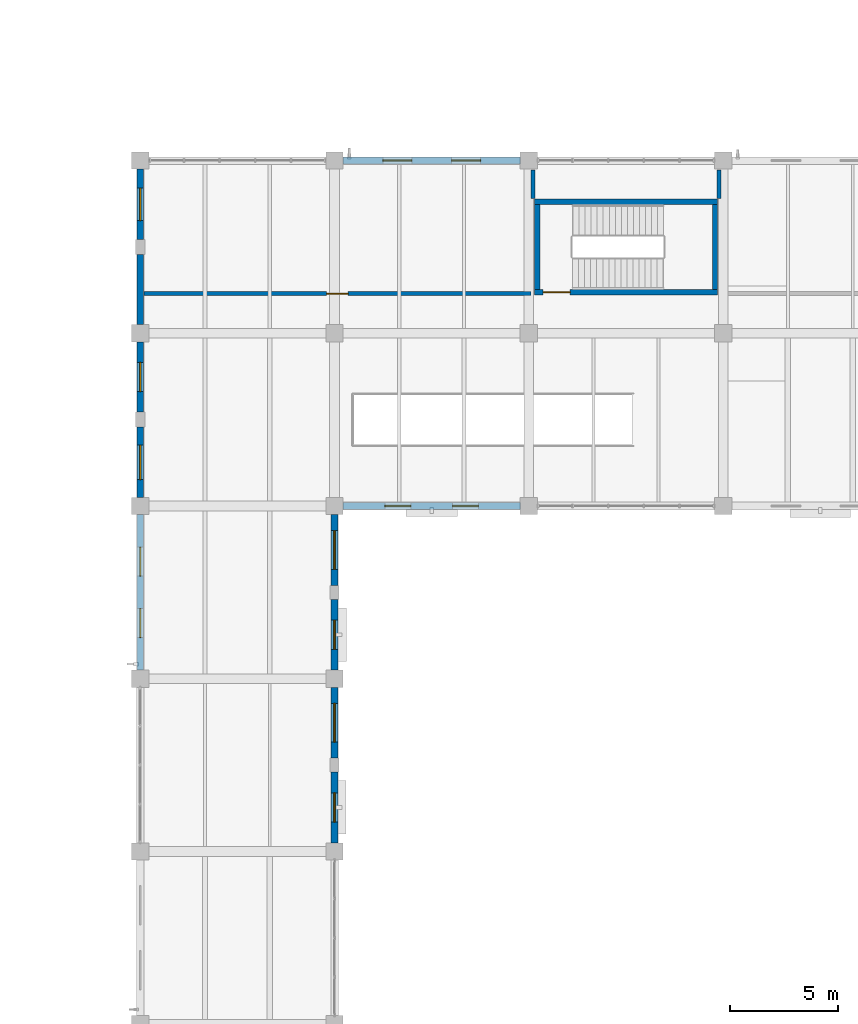
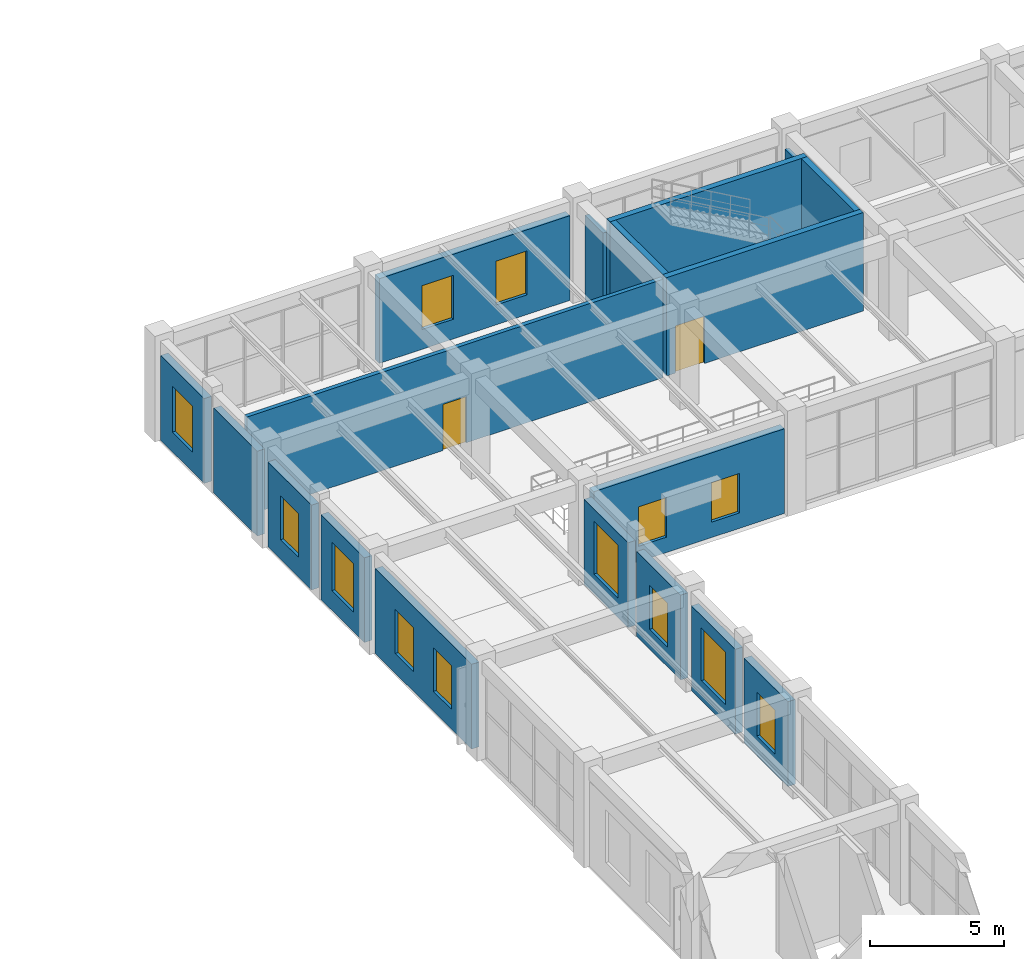
# One storey, part 156 of 178: 18 walls, 13 windows, 2 doors, 15 openings.
"""IFC4 building model written with IfcOpenShell, lengths in metres."""

from ifc_helpers import new_model, si_unit, derived_unit, direction, frame, frame_2d, origin, place, context, subcontext, project, spatial, rectangle, extrude, material, layer, layer_set, type_object, element, fill, save


model = new_model("IFC4")

# Units and contexts
model_context = context("Model", 3, precision=1e-05, world=origin(), true_north=direction((0.0, 1.0)))
body_context = subcontext(model_context, "Body", "Model", "MODEL_VIEW")
ifc_project = project(units=[si_unit("LENGTHUNIT", "METRE"), si_unit("AREAUNIT", "SQUARE_METRE"), si_unit("VOLUMEUNIT", "CUBIC_METRE"), si_unit("PLANEANGLEUNIT", "RADIAN"), si_unit("MASSUNIT", "GRAM", prefix="KILO"), derived_unit("THERMALTRANSMITTANCEUNIT", [(si_unit("MASSUNIT", "GRAM", prefix="KILO"), 1), (si_unit("TIMEUNIT", "SECOND"), -3), (si_unit("THERMODYNAMICTEMPERATUREUNIT", "KELVIN"), -1)])], contexts=[model_context])

# Site, building, storey
site_placement = place(None, origin())
site = spatial("IfcSite", under=ifc_project, at=site_placement, CompositionType="ELEMENT")
building_placement = place(site_placement, origin())
building = spatial("IfcBuilding", under=site, at=building_placement, Name="Zhenchuan Archway Interchange", CompositionType="ELEMENT")
storey_placement = place(building_placement, frame((0.0, 0.0, 5.39990234375)))
storey = spatial("IfcBuildingStorey", under=building, at=storey_placement, Name="L01", CompositionType="ELEMENT", Elevation=5.39990234375)

# Wall, openings, windows
ifc_material_1 = material(Name="Granite Stone Cladding", Category="masonry")
ifc_layer_1 = layer(ifc_material_1, 0.320068359375)
ifc_layer_set_1 = layer_set([ifc_layer_1], Name="Granite Stone Cladding")
wall_type_1 = type_object("IfcWallType", Name="EW_GRANITE_320", PredefinedType="STANDARD", material=ifc_layer_set_1)
wall_1_placement = place(storey_placement, frame((99.0, 80.39794921875, 0.0), z_axis=(0.0, 0.0, 1.0), x_axis=(0.0, 1.0, 0.0)))
wall_1 = element("IfcWall", 1, at=wall_1_placement, inside=storey, type_object=wall_type_1, Name="Exterior wall L01-041", PredefinedType="STANDARD", context=body_context, shape_type="SweptSolid", body=[
    extrude(rectangle(XDim=7.2041015625, YDim=0.320068359375, at=frame_2d((3.60205078125, 0.0))), origin(), (0.0, 0.0, 1.0), 3.860107421875),
])
opening_1_placement = place(wall_1_placement, frame((1.501220703125, 0.0, 0.89990234375)))
opening_1 = element("IfcOpeningElement", 2, at=opening_1_placement, cuts=wall_1, Name="Opening W-06", PredefinedType="OPENING", context=body_context, shape_type="SweptSolid", body=[
    extrude(rectangle(XDim=1.35009765625, YDim=2.0, at=frame_2d((0.675048828125, 1.0))), frame((0.0, 0.171875, 0.0), z_axis=(0.0, -1.0, 0.0), x_axis=(1.0, 0.0, 0.0)), (0.0, 0.0, 1.0), 0.343994140625),
])
opening_2_placement = place(wall_1_placement, frame((4.352783203125, 0.0, 0.89990234375)))
opening_2 = element("IfcOpeningElement", 3, at=opening_2_placement, cuts=wall_1, Name="Opening W-06", PredefinedType="OPENING", context=body_context, shape_type="SweptSolid", body=[
    extrude(rectangle(XDim=1.35009765625, YDim=2.0, at=frame_2d((0.675048828125, 1.0))), frame((0.0, 0.171875, 0.0), z_axis=(0.0, -1.0, 0.0), x_axis=(1.0, 0.0, 0.0)), (0.0, 0.0, 1.0), 0.343994140625),
])
ifc_material_2 = material(Name="Double Low-E Insulated Glazing", Category="glass")
window_type_1 = type_object("IfcWindowType", Name="WN_MOD_1350x2000", PartitioningType="SINGLE_PANEL", PredefinedType="WINDOW", material=ifc_material_2)
window_1_placement = place(opening_1_placement, origin())
window_1 = element("IfcWindow", 4, at=window_1_placement, inside=storey, type_object=window_type_1, Name="Window L01-0120", OverallHeight=2.0, OverallWidth=1.35009765625, PartitioningType="SINGLE_PANEL", PredefinedType="WINDOW", context=body_context, shape_type="SweptSolid", body=[
    extrude(rectangle(XDim=1.35009765625, YDim=2.0, at=frame_2d((0.675048828125, 1.0))), frame((0.0, 0.030029296875, 0.0), z_axis=(0.0, -1.0, 0.0), x_axis=(1.0, 0.0, 0.0)), (0.0, 0.0, 1.0), 0.06005859375),
])
fill(opening_1, window_1)
window_2_placement = place(opening_2_placement, origin())
window_2 = element("IfcWindow", 5, at=window_2_placement, inside=storey, type_object=window_type_1, Name="Window L01-0121", OverallHeight=2.0, OverallWidth=1.35009765625, PartitioningType="SINGLE_PANEL", PredefinedType="WINDOW", context=body_context, shape_type="SweptSolid", body=[
    extrude(rectangle(XDim=1.35009765625, YDim=2.0, at=frame_2d((0.675048828125, 1.0))), frame((0.0, 0.030029296875, 0.0), z_axis=(0.0, -1.0, 0.0), x_axis=(1.0, 0.0, 0.0)), (0.0, 0.0, 1.0), 0.06005859375),
])
fill(opening_2, window_2)

# Wall, opening, window
wall_2_placement = place(storey_placement, frame((99.0, 88.39794921875, 0.0), z_axis=(0.0, 0.0, 1.0), x_axis=(0.0, 1.0, 0.0)))
wall_2 = element("IfcWall", 6, at=wall_2_placement, inside=storey, type_object=wall_type_1, Name="Exterior wall L01-042", PredefinedType="STANDARD", context=body_context, shape_type="SweptSolid", body=[
    extrude(rectangle(XDim=3.254150390625, YDim=0.320068359375, at=frame_2d((1.626953125, 0.0))), origin(), (0.0, 0.0, 1.0), 3.860107421875),
])
opening_3_placement = place(wall_2_placement, frame((0.826904296875, 0.0, 0.89990234375)))
opening_3 = element("IfcOpeningElement", 7, at=opening_3_placement, cuts=wall_2, Name="Opening W-04", PredefinedType="OPENING", context=body_context, shape_type="SweptSolid", body=[
    extrude(rectangle(XDim=1.60009765625, YDim=2.199951171875, at=frame_2d((0.800048828125, 1.10009765625))), frame((0.0, 0.171875, 0.0), z_axis=(0.0, -1.0, 0.0), x_axis=(1.0, 0.0, 0.0)), (0.0, 0.0, 1.0), 0.343994140625),
])
window_type_2 = type_object("IfcWindowType", Name="WN_PUNCH_1600x2200", PartitioningType="SINGLE_PANEL", PredefinedType="WINDOW", material=ifc_material_2)
window_3_placement = place(opening_3_placement, origin())
window_3 = element("IfcWindow", 8, at=window_3_placement, inside=storey, type_object=window_type_2, Name="Window L01-0122", OverallHeight=2.199951171875, OverallWidth=1.60009765625, PartitioningType="SINGLE_PANEL", PredefinedType="WINDOW", context=body_context, shape_type="SweptSolid", body=[
    extrude(rectangle(XDim=1.60009765625, YDim=2.199951171875, at=frame_2d((0.800048828125, 1.10009765625))), frame((0.0, 0.030029296875, 0.0), z_axis=(0.0, -1.0, 0.0), x_axis=(1.0, 0.0, 0.0)), (0.0, 0.0, 1.0), 0.06005859375),
])
fill(opening_3, window_3)

wall_3_placement = place(storey_placement, frame((99.0, 92.347900390625, 0.0), z_axis=(0.0, 0.0, 1.0), x_axis=(0.0, 1.0, 0.0)))
wall_3 = element("IfcWall", 9, at=wall_3_placement, inside=storey, type_object=wall_type_1, Name="Exterior wall L01-043", PredefinedType="STANDARD", context=body_context, shape_type="SweptSolid", body=[
    extrude(rectangle(XDim=3.254150390625, YDim=0.320068359375, at=frame_2d((1.626953125, 0.0))), origin(), (0.0, 0.0, 1.0), 3.860107421875),
])
opening_4_placement = place(wall_3_placement, frame((0.951904296875, 0.0, 0.89990234375)))
opening_4 = element("IfcOpeningElement", 10, at=opening_4_placement, cuts=wall_3, Name="Opening W-06", PredefinedType="OPENING", context=body_context, shape_type="SweptSolid", body=[
    extrude(rectangle(XDim=1.35009765625, YDim=2.0, at=frame_2d((0.675048828125, 1.0))), frame((0.0, 0.171875, 0.0), z_axis=(0.0, -1.0, 0.0), x_axis=(1.0, 0.0, 0.0)), (0.0, 0.0, 1.0), 0.343994140625),
])
window_4_placement = place(opening_4_placement, origin())
window_4 = element("IfcWindow", 11, at=window_4_placement, inside=storey, type_object=window_type_1, Name="Window L01-0123", OverallHeight=2.0, OverallWidth=1.35009765625, PartitioningType="SINGLE_PANEL", PredefinedType="WINDOW", context=body_context, shape_type="SweptSolid", body=[
    extrude(rectangle(XDim=1.35009765625, YDim=2.0, at=frame_2d((0.675048828125, 1.0))), frame((0.0, 0.030029296875, 0.0), z_axis=(0.0, -1.0, 0.0), x_axis=(1.0, 0.0, 0.0)), (0.0, 0.0, 1.0), 0.06005859375),
])
fill(opening_4, window_4)

# Wall
wall_4_placement = place(storey_placement, frame((99.0, 96.39794921875, 0.0), z_axis=(0.0, 0.0, 1.0), x_axis=(0.0, 1.0, 0.0)))
element("IfcWall", 12, at=wall_4_placement, inside=storey, type_object=wall_type_1, Name="Exterior wall L01-044", PredefinedType="STANDARD", context=body_context, shape_type="SweptSolid", body=[
    extrude(rectangle(XDim=3.254150390625, YDim=0.320068359375, at=frame_2d((1.626953125, 0.0))), origin(), (0.0, 0.0, 1.0), 3.860107421875),
])

# Wall, opening, window
wall_5_placement = place(storey_placement, frame((99.0, 100.347900390625, 0.0), z_axis=(0.0, 0.0, 1.0), x_axis=(0.0, 1.0, 0.0)))
wall_5 = element("IfcWall", 13, at=wall_5_placement, inside=storey, type_object=wall_type_1, Name="Exterior wall L01-045", PredefinedType="STANDARD", context=body_context, shape_type="SweptSolid", body=[
    extrude(rectangle(XDim=3.254150390625, YDim=0.320068359375, at=frame_2d((1.626953125, 0.0))), origin(), (0.0, 0.0, 1.0), 3.860107421875),
])
opening_5_placement = place(wall_5_placement, frame((0.876953125, 0.0, 0.89990234375)))
opening_5 = element("IfcOpeningElement", 14, at=opening_5_placement, cuts=wall_5, Name="Opening W-05", PredefinedType="OPENING", context=body_context, shape_type="SweptSolid", body=[
    extrude(rectangle(XDim=1.5, YDim=2.10009765625, at=frame_2d((0.75, 1.050048828125))), frame((0.0, 0.171875, 0.0), z_axis=(0.0, -1.0, 0.0), x_axis=(1.0, 0.0, 0.0)), (0.0, 0.0, 1.0), 0.343994140625),
])
window_type_3 = type_object("IfcWindowType", Name="WN_PUNCH_1500x2100", PartitioningType="SINGLE_PANEL", PredefinedType="WINDOW", material=ifc_material_2)
window_5_placement = place(opening_5_placement, origin())
window_5 = element("IfcWindow", 15, at=window_5_placement, inside=storey, type_object=window_type_3, Name="Window L01-0124", OverallHeight=2.10009765625, OverallWidth=1.5, PartitioningType="SINGLE_PANEL", PredefinedType="WINDOW", context=body_context, shape_type="SweptSolid", body=[
    extrude(rectangle(XDim=1.5, YDim=2.10009765625, at=frame_2d((0.75, 1.050048828125))), frame((0.0, 0.030029296875, 0.0), z_axis=(0.0, -1.0, 0.0), x_axis=(1.0, 0.0, 0.0)), (0.0, 0.0, 1.0), 0.06005859375),
])
fill(opening_5, window_5)

# Wall, openings, windows
wall_6_placement = place(storey_placement, frame((108.39794921875, 104.0, 0.0), z_axis=(0.0, 0.0, 1.0), x_axis=(1.0, 0.0, 0.0)))
wall_6 = element("IfcWall", 16, at=wall_6_placement, inside=storey, type_object=wall_type_1, Name="Exterior wall L01-047", PredefinedType="STANDARD", context=body_context, shape_type="SweptSolid", body=[
    extrude(rectangle(XDim=8.2041015625, YDim=0.320068359375, at=frame_2d((4.10205078125, 0.0))), origin(), (0.0, 0.0, 1.0), 3.860107421875),
])
opening_6_placement = place(wall_6_placement, frame((1.834716796875, 0.0, 0.89990234375)))
opening_6 = element("IfcOpeningElement", 17, at=opening_6_placement, cuts=wall_6, Name="Opening W-06", PredefinedType="OPENING", context=body_context, shape_type="SweptSolid", body=[
    extrude(rectangle(XDim=1.35009765625, YDim=2.0, at=frame_2d((0.675048828125, 1.0))), frame((0.0, 0.171875, 0.0), z_axis=(0.0, -1.0, 0.0), x_axis=(1.0, 0.0, 0.0)), (0.0, 0.0, 1.0), 0.343994140625),
])
opening_7_placement = place(wall_6_placement, frame((5.019287109375, 0.0, 0.89990234375)))
opening_7 = element("IfcOpeningElement", 18, at=opening_7_placement, cuts=wall_6, Name="Opening W-06", PredefinedType="OPENING", context=body_context, shape_type="SweptSolid", body=[
    extrude(rectangle(XDim=1.35009765625, YDim=2.0, at=frame_2d((0.675048828125, 1.0))), frame((0.0, 0.171875, 0.0), z_axis=(0.0, -1.0, 0.0), x_axis=(1.0, 0.0, 0.0)), (0.0, 0.0, 1.0), 0.343994140625),
])
window_6_placement = place(opening_6_placement, origin())
window_6 = element("IfcWindow", 19, at=window_6_placement, inside=storey, type_object=window_type_1, Name="Window L01-0125", OverallHeight=2.0, OverallWidth=1.35009765625, PartitioningType="SINGLE_PANEL", PredefinedType="WINDOW", context=body_context, shape_type="SweptSolid", body=[
    extrude(rectangle(XDim=1.35009765625, YDim=2.0, at=frame_2d((0.675048828125, 1.0))), frame((0.0, 0.030029296875, 0.0), z_axis=(0.0, -1.0, 0.0), x_axis=(1.0, 0.0, 0.0)), (0.0, 0.0, 1.0), 0.06005859375),
])
fill(opening_6, window_6)
window_7_placement = place(opening_7_placement, origin())
window_7 = element("IfcWindow", 20, at=window_7_placement, inside=storey, type_object=window_type_1, Name="Window L01-0126", OverallHeight=2.0, OverallWidth=1.35009765625, PartitioningType="SINGLE_PANEL", PredefinedType="WINDOW", context=body_context, shape_type="SweptSolid", body=[
    extrude(rectangle(XDim=1.35009765625, YDim=2.0, at=frame_2d((0.675048828125, 1.0))), frame((0.0, 0.030029296875, 0.0), z_axis=(0.0, -1.0, 0.0), x_axis=(1.0, 0.0, 0.0)), (0.0, 0.0, 1.0), 0.06005859375),
])
fill(opening_7, window_7)

wall_7_placement = place(storey_placement, frame((116.60205078125, 88.0, 0.0), z_axis=(0.0, 0.0, 1.0), x_axis=(-1.0, 0.0, 0.0)))
wall_7 = element("IfcWall", 21, at=wall_7_placement, inside=storey, type_object=wall_type_1, Name="Exterior wall L01-135", PredefinedType="STANDARD", context=body_context, shape_type="SweptSolid", body=[
    extrude(rectangle(XDim=8.2041015625, YDim=0.320068359375, at=frame_2d((4.10205078125, 0.0))), origin(), (0.0, 0.0, 1.0), 3.860107421875),
])
opening_8_placement = place(wall_7_placement, frame((1.934814453125, 0.0, 0.699951171875)))
opening_8 = element("IfcOpeningElement", 22, at=opening_8_placement, cuts=wall_7, Name="Opening W-07", PredefinedType="OPENING", context=body_context, shape_type="SweptSolid", body=[
    extrude(rectangle(XDim=1.199951171875, YDim=1.800048828125, at=frame_2d((0.60009765625, 0.89990234375))), frame((0.0, 0.171875, 0.0), z_axis=(0.0, -1.0, 0.0), x_axis=(1.0, 0.0, 0.0)), (0.0, 0.0, 1.0), 0.343994140625),
])
opening_9_placement = place(wall_7_placement, frame((5.0693359375, 0.0, 0.699951171875)))
opening_9 = element("IfcOpeningElement", 23, at=opening_9_placement, cuts=wall_7, Name="Opening W-07", PredefinedType="OPENING", context=body_context, shape_type="SweptSolid", body=[
    extrude(rectangle(XDim=1.199951171875, YDim=1.800048828125, at=frame_2d((0.60009765625, 0.89990234375))), frame((0.0, 0.171875, 0.0), z_axis=(0.0, -1.0, 0.0), x_axis=(1.0, 0.0, 0.0)), (0.0, 0.0, 1.0), 0.343994140625),
])
window_type_4 = type_object("IfcWindowType", Name="WN_MOD_1200x1800", PartitioningType="SINGLE_PANEL", PredefinedType="WINDOW", material=ifc_material_2)
window_8_placement = place(opening_8_placement, origin())
window_8 = element("IfcWindow", 24, at=window_8_placement, inside=storey, type_object=window_type_4, Name="Window L01-0180", OverallHeight=1.800048828125, OverallWidth=1.199951171875, PartitioningType="SINGLE_PANEL", PredefinedType="WINDOW", context=body_context, shape_type="SweptSolid", body=[
    extrude(rectangle(XDim=1.199951171875, YDim=1.800048828125, at=frame_2d((0.60009765625, 0.89990234375))), frame((0.0, 0.030029296875, 0.0), z_axis=(0.0, -1.0, 0.0), x_axis=(1.0, 0.0, 0.0)), (0.0, 0.0, 1.0), 0.06005859375),
])
fill(opening_8, window_8)
window_9_placement = place(opening_9_placement, origin())
window_9 = element("IfcWindow", 25, at=window_9_placement, inside=storey, type_object=window_type_4, Name="Window L01-0181", OverallHeight=1.800048828125, OverallWidth=1.199951171875, PartitioningType="SINGLE_PANEL", PredefinedType="WINDOW", context=body_context, shape_type="SweptSolid", body=[
    extrude(rectangle(XDim=1.199951171875, YDim=1.800048828125, at=frame_2d((0.60009765625, 0.89990234375))), frame((0.0, 0.030029296875, 0.0), z_axis=(0.0, -1.0, 0.0), x_axis=(1.0, 0.0, 0.0)), (0.0, 0.0, 1.0), 0.06005859375),
])
fill(opening_9, window_9)

# Wall, opening, window
wall_8_placement = place(storey_placement, frame((108.0, 87.60205078125, 0.0), z_axis=(0.0, 0.0, 1.0), x_axis=(0.0, -1.0, 0.0)))
wall_8 = element("IfcWall", 26, at=wall_8_placement, inside=storey, type_object=wall_type_1, Name="Exterior wall L01-136", PredefinedType="STANDARD", context=body_context, shape_type="SweptSolid", body=[
    extrude(rectangle(XDim=3.279052734375, YDim=0.320068359375, at=frame_2d((1.6396484375, 0.0))), origin(), (0.0, 0.0, 1.0), 3.860107421875),
])
opening_10_placement = place(wall_8_placement, frame((0.739501953125, 0.0, 0.89990234375)))
opening_10 = element("IfcOpeningElement", 27, at=opening_10_placement, cuts=wall_8, Name="Opening W-03", PredefinedType="OPENING", context=body_context, shape_type="SweptSolid", body=[
    extrude(rectangle(XDim=1.800048828125, YDim=2.39990234375, at=frame_2d((0.89990234375, 1.199951171875))), frame((0.0, 0.171875, 0.0), z_axis=(0.0, -1.0, 0.0), x_axis=(1.0, 0.0, 0.0)), (0.0, 0.0, 1.0), 0.343994140625),
])
window_type_5 = type_object("IfcWindowType", Name="WN_PUNCH_1800x2400", PartitioningType="SINGLE_PANEL", PredefinedType="WINDOW", material=ifc_material_2)
window_10_placement = place(opening_10_placement, origin())
window_10 = element("IfcWindow", 28, at=window_10_placement, inside=storey, type_object=window_type_5, Name="Window L01-0182", OverallHeight=2.39990234375, OverallWidth=1.800048828125, PartitioningType="SINGLE_PANEL", PredefinedType="WINDOW", context=body_context, shape_type="SweptSolid", body=[
    extrude(rectangle(XDim=1.800048828125, YDim=2.39990234375, at=frame_2d((0.89990234375, 1.199951171875))), frame((0.0, 0.030029296875, 0.0), z_axis=(0.0, -1.0, 0.0), x_axis=(1.0, 0.0, 0.0)), (0.0, 0.0, 1.0), 0.06005859375),
])
fill(opening_10, window_10)

wall_9_placement = place(storey_placement, frame((108.0, 83.677001953125, 0.0), z_axis=(0.0, 0.0, 1.0), x_axis=(0.0, -1.0, 0.0)))
wall_9 = element("IfcWall", 29, at=wall_9_placement, inside=storey, type_object=wall_type_1, Name="Exterior wall L01-137", PredefinedType="STANDARD", context=body_context, shape_type="SweptSolid", body=[
    extrude(rectangle(XDim=3.279052734375, YDim=0.320068359375, at=frame_2d((1.6396484375, 0.0))), origin(), (0.0, 0.0, 1.0), 3.860107421875),
])
opening_11_placement = place(wall_9_placement, frame((0.964599609375, 0.0, 0.89990234375)))
opening_11 = element("IfcOpeningElement", 30, at=opening_11_placement, cuts=wall_9, Name="Opening W-06", PredefinedType="OPENING", context=body_context, shape_type="SweptSolid", body=[
    extrude(rectangle(XDim=1.35009765625, YDim=2.0, at=frame_2d((0.675048828125, 1.0))), frame((0.0, 0.171875, 0.0), z_axis=(0.0, -1.0, 0.0), x_axis=(1.0, 0.0, 0.0)), (0.0, 0.0, 1.0), 0.343994140625),
])
window_11_placement = place(opening_11_placement, origin())
window_11 = element("IfcWindow", 31, at=window_11_placement, inside=storey, type_object=window_type_1, Name="Window L01-0183", OverallHeight=2.0, OverallWidth=1.35009765625, PartitioningType="SINGLE_PANEL", PredefinedType="WINDOW", context=body_context, shape_type="SweptSolid", body=[
    extrude(rectangle(XDim=1.35009765625, YDim=2.0, at=frame_2d((0.675048828125, 1.0))), frame((0.0, 0.030029296875, 0.0), z_axis=(0.0, -1.0, 0.0), x_axis=(1.0, 0.0, 0.0)), (0.0, 0.0, 1.0), 0.06005859375),
])
fill(opening_11, window_11)

wall_10_placement = place(storey_placement, frame((108.0, 79.60205078125, 0.0), z_axis=(0.0, 0.0, 1.0), x_axis=(0.0, -1.0, 0.0)))
wall_10 = element("IfcWall", 32, at=wall_10_placement, inside=storey, type_object=wall_type_1, Name="Exterior wall L01-138", PredefinedType="STANDARD", context=body_context, shape_type="SweptSolid", body=[
    extrude(rectangle(XDim=3.279052734375, YDim=0.320068359375, at=frame_2d((1.6396484375, 0.0))), origin(), (0.0, 0.0, 1.0), 3.860107421875),
])
opening_12_placement = place(wall_10_placement, frame((0.739501953125, 0.0, 0.89990234375)))
opening_12 = element("IfcOpeningElement", 33, at=opening_12_placement, cuts=wall_10, Name="Opening W-03", PredefinedType="OPENING", context=body_context, shape_type="SweptSolid", body=[
    extrude(rectangle(XDim=1.800048828125, YDim=2.39990234375, at=frame_2d((0.89990234375, 1.199951171875))), frame((0.0, 0.171875, 0.0), z_axis=(0.0, -1.0, 0.0), x_axis=(1.0, 0.0, 0.0)), (0.0, 0.0, 1.0), 0.343994140625),
])
window_12_placement = place(opening_12_placement, origin())
window_12 = element("IfcWindow", 34, at=window_12_placement, inside=storey, type_object=window_type_5, Name="Window L01-0184", OverallHeight=2.39990234375, OverallWidth=1.800048828125, PartitioningType="SINGLE_PANEL", PredefinedType="WINDOW", context=body_context, shape_type="SweptSolid", body=[
    extrude(rectangle(XDim=1.800048828125, YDim=2.39990234375, at=frame_2d((0.89990234375, 1.199951171875))), frame((0.0, 0.030029296875, 0.0), z_axis=(0.0, -1.0, 0.0), x_axis=(1.0, 0.0, 0.0)), (0.0, 0.0, 1.0), 0.06005859375),
])
fill(opening_12, window_12)

wall_11_placement = place(storey_placement, frame((108.0, 75.677001953125, 0.0), z_axis=(0.0, 0.0, 1.0), x_axis=(0.0, -1.0, 0.0)))
wall_11 = element("IfcWall", 35, at=wall_11_placement, inside=storey, type_object=wall_type_1, Name="Exterior wall L01-139", PredefinedType="STANDARD", context=body_context, shape_type="SweptSolid", body=[
    extrude(rectangle(XDim=3.279052734375, YDim=0.320068359375, at=frame_2d((1.6396484375, 0.0))), origin(), (0.0, 0.0, 1.0), 3.860107421875),
])
opening_13_placement = place(wall_11_placement, frame((0.964599609375, 0.0, 0.89990234375)))
opening_13 = element("IfcOpeningElement", 36, at=opening_13_placement, cuts=wall_11, Name="Opening W-06", PredefinedType="OPENING", context=body_context, shape_type="SweptSolid", body=[
    extrude(rectangle(XDim=1.35009765625, YDim=2.0, at=frame_2d((0.675048828125, 1.0))), frame((0.0, 0.171875, 0.0), z_axis=(0.0, -1.0, 0.0), x_axis=(1.0, 0.0, 0.0)), (0.0, 0.0, 1.0), 0.343994140625),
])
window_13_placement = place(opening_13_placement, origin())
window_13 = element("IfcWindow", 37, at=window_13_placement, inside=storey, type_object=window_type_1, Name="Window L01-0185", OverallHeight=2.0, OverallWidth=1.35009765625, PartitioningType="SINGLE_PANEL", PredefinedType="WINDOW", context=body_context, shape_type="SweptSolid", body=[
    extrude(rectangle(XDim=1.35009765625, YDim=2.0, at=frame_2d((0.675048828125, 1.0))), frame((0.0, 0.030029296875, 0.0), z_axis=(0.0, -1.0, 0.0), x_axis=(1.0, 0.0, 0.0)), (0.0, 0.0, 1.0), 0.06005859375),
])
fill(opening_13, window_13)

# Wall, opening, door
ifc_material_3 = material(Name="Concrete Block Masonry", Category="masonry")
ifc_layer_2 = layer(ifc_material_3, 0.179931640625)
ifc_layer_set_2 = layer_set([ifc_layer_2], Name="Concrete Block Masonry")
wall_type_2 = type_object("IfcWallType", Name="WL_PART_180", PredefinedType="STANDARD", material=ifc_layer_set_2)
wall_12_placement = place(storey_placement, frame((99.175048828125, 97.840087890625, 0.0), z_axis=(0.0, 0.0, 1.0), x_axis=(1.0, 0.0, 0.0)))
wall_12 = element("IfcWall", 38, at=wall_12_placement, inside=storey, type_object=wall_type_2, Name="Driver Briefing and Welfare Lounge S partition (L01)", PredefinedType="STANDARD", context=body_context, shape_type="SweptSolid", body=[
    extrude(rectangle(XDim=17.929931640625, YDim=0.179931640625, at=frame_2d((8.96484375, 0.0))), origin(), (0.0, 0.0, 1.0), 4.47998046875),
])
opening_14_placement = place(wall_12_placement, frame((8.452392578125, 0.0, 0.0)))
opening_14 = element("IfcOpeningElement", 39, at=opening_14_placement, cuts=wall_12, Name="Opening ID-02", PredefinedType="OPENING", context=body_context, shape_type="SweptSolid", body=[
    extrude(rectangle(XDim=1.0, YDim=2.10009765625, at=frame_2d((0.5, 1.050048828125))), frame((0.0, 0.10205078125, 0.0), z_axis=(0.0, -1.0, 0.0), x_axis=(1.0, 0.0, 0.0)), (0.0, 0.0, 1.0), 0.203857421875),
])
ifc_material_4 = material(Name="Hardwood Timber", Category="wood")
door_type_1 = type_object("IfcDoorType", Name="DR_OPS_100", OperationType="NOTDEFINED", PredefinedType="DOOR", material=ifc_material_4)
door_1_placement = place(opening_14_placement, origin())
door_1 = element("IfcDoor", 40, at=door_1_placement, inside=storey, type_object=door_type_1, Name="Driver Briefing and Welfare Lounge door (L01)", OperationType="SINGLE_SWING_RIGHT", OverallHeight=2.10009765625, OverallWidth=1.0, PredefinedType="DOOR", context=body_context, shape_type="SweptSolid", body=[
    extrude(rectangle(XDim=1.0, YDim=2.10009765625, at=frame_2d((0.5, 1.050048828125))), frame((0.0, 0.02490234375, 0.0), z_axis=(0.0, -1.0, 0.0), x_axis=(1.0, 0.0, 0.0)), (0.0, 0.0, 1.0), 0.050048828125),
])
fill(opening_14, door_1)

# Walls
for number, where, z_axis, x_axis, name in (
    (41, (117.199951171875, 102.235107421875, 0.0), (0.0, 0.0, 1.0), (0.0, 1.0, 0.0), "Driver Briefing and Welfare Lounge E partition (L01)"),
    (42, (125.800048828125, 102.235107421875, 0.0), (0.0, 0.0, 1.0), (0.0, 1.0, 0.0), "Driver Roster Reading Room W partition (L01)"),
):
    element("IfcWall", number, at=place(storey_placement, frame(where, z_axis=z_axis, x_axis=x_axis)), inside=storey, type_object=wall_type_2, Name=name, PredefinedType="STANDARD", context=body_context, shape_type="SweptSolid", body=[
        extrude(rectangle(XDim=1.33984375, YDim=0.179931640625, at=frame_2d((0.669921875, 0.0))), origin(), (0.0, 0.0, 1.0), 3.860107421875),
    ])

# Wall, opening, door
ifc_material_5 = material(Name="Concrete C40", Category="concrete")
ifc_layer_3 = layer(ifc_material_5, 0.25)
ifc_layer_set_3 = layer_set([ifc_layer_3], Name="Concrete C40")
wall_type_3 = type_object("IfcWallType", Name="WL_STAIR_250", PredefinedType="SHEAR", material=ifc_layer_set_3)
wall_13_placement = place(storey_placement, frame((117.2548828125, 97.89990234375, 0.0), z_axis=(0.0, 0.0, 1.0), x_axis=(1.0, 0.0, 0.0)))
wall_13 = element("IfcWall", 43, at=wall_13_placement, inside=storey, type_object=wall_type_3, Name="Stair ST-O6 south wall (L01)", PredefinedType="SHEAR", context=body_context, shape_type="SweptSolid", body=[
    extrude(rectangle(XDim=8.490234375, YDim=0.25, at=frame_2d((4.2451171875, 0.0))), origin(), (0.0, 0.0, 1.0), 4.47998046875),
])
opening_15_placement = place(wall_13_placement, frame((0.405029296875, 0.0, 0.0)))
opening_15 = element("IfcOpeningElement", 44, at=opening_15_placement, cuts=wall_13, Name="Opening FD-01", PredefinedType="OPENING", context=body_context, shape_type="SweptSolid", body=[
    extrude(rectangle(XDim=1.25, YDim=2.14990234375, at=frame_2d((0.625, 1.074951171875))), frame((0.0, 0.136962890625, 0.0), z_axis=(0.0, -1.0, 0.0), x_axis=(1.0, 0.0, 0.0)), (0.0, 0.0, 1.0), 0.27392578125),
])
ifc_material_6 = material(Name="Painted Galvanised Steel", Category="steel")
door_type_2 = type_object("IfcDoorType", Name="DR_STAIR_FD90", OperationType="NOTDEFINED", PredefinedType="DOOR", material=ifc_material_6)
door_2_placement = place(opening_15_placement, origin())
door_2 = element("IfcDoor", 45, at=door_2_placement, inside=storey, type_object=door_type_2, Name="Stair ST-O6 fire door (L01)", OperationType="SINGLE_SWING_LEFT", OverallHeight=2.14990234375, OverallWidth=1.25, PredefinedType="DOOR", context=body_context, shape_type="SweptSolid", body=[
    extrude(rectangle(XDim=1.25, YDim=2.14990234375, at=frame_2d((0.625, 1.074951171875))), frame((0.0, 0.02490234375, 0.0), z_axis=(0.0, -1.0, 0.0), x_axis=(1.0, 0.0, 0.0)), (0.0, 0.0, 1.0), 0.050048828125),
])
fill(opening_15, door_2)

# Walls
wall_14_placement = place(storey_placement, frame((125.7451171875, 102.10009765625, 0.0), z_axis=(0.0, 0.0, 1.0), x_axis=(-1.0, 0.0, 0.0)))
element("IfcWall", 46, at=wall_14_placement, inside=storey, type_object=wall_type_3, Name="Stair ST-O6 north wall (L01)", PredefinedType="SHEAR", context=body_context, shape_type="SweptSolid", body=[
    extrude(rectangle(XDim=8.490234375, YDim=0.25, at=frame_2d((4.2451171875, 0.0))), origin(), (0.0, 0.0, 1.0), 4.47998046875),
])
for number, where, z_axis, x_axis, name in (
    (47, (117.3798828125, 101.97509765625, 0.0), (0.0, 0.0, 1.0), (0.0, -1.0, 0.0), "Stair ST-O6 west wall (L01)"),
    (48, (125.6201171875, 98.02490234375, 0.0), (0.0, 0.0, 1.0), (0.0, 1.0, 0.0), "Stair ST-O6 east wall (L01)"),
):
    element("IfcWall", number, at=place(storey_placement, frame(where, z_axis=z_axis, x_axis=x_axis)), inside=storey, type_object=wall_type_3, Name=name, PredefinedType="SHEAR", context=body_context, shape_type="SweptSolid", body=[
        extrude(rectangle(XDim=3.9501953125, YDim=0.25, at=frame_2d((1.97509765625, 0.0))), origin(), (0.0, 0.0, 1.0), 4.47998046875),
    ])

save(model, "model.ifc")
